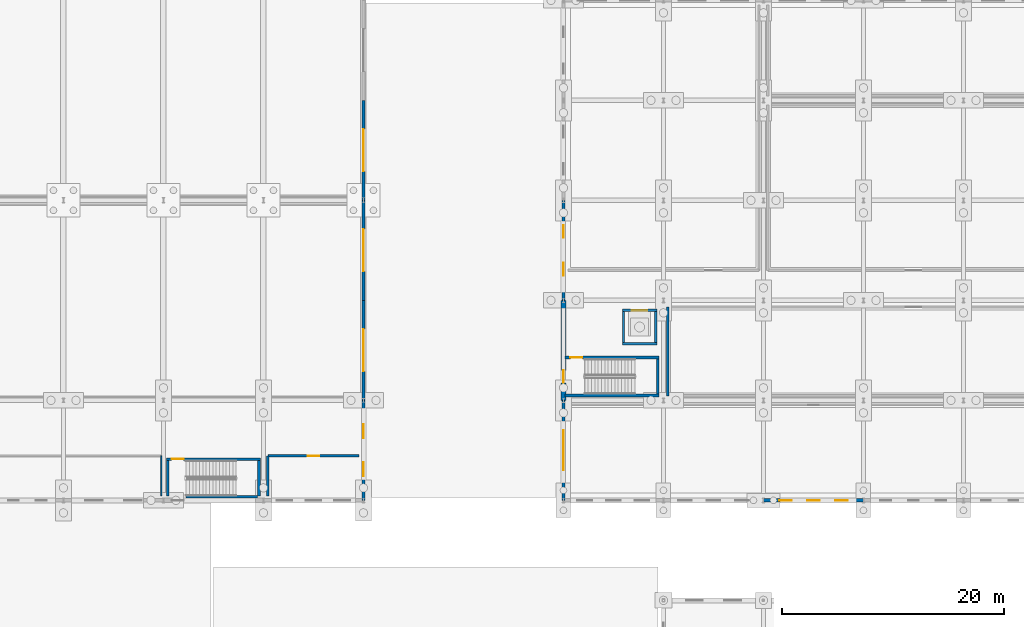
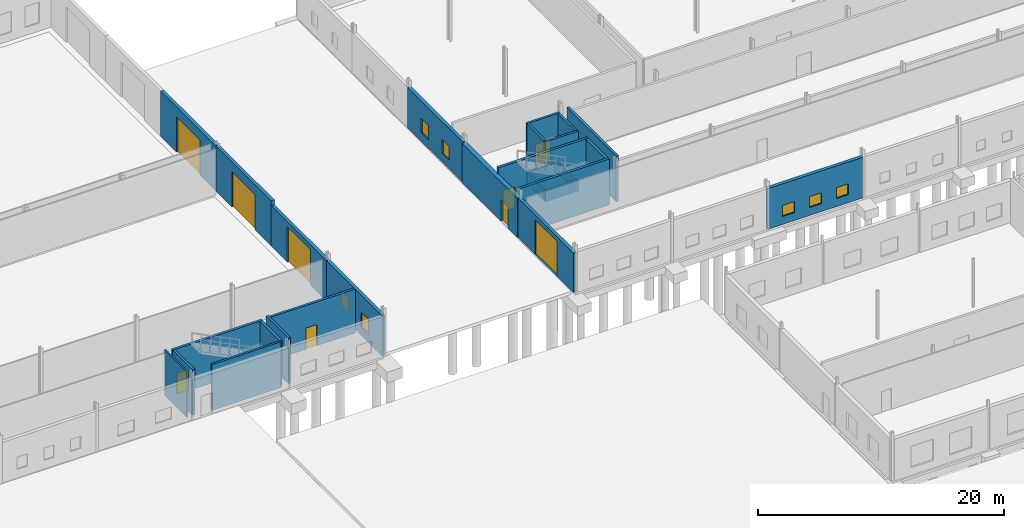
# One storey, part 80 of 112: 27 walls, 9 doors, 7 windows, 16 openings.
"""IFC4 building model written with IfcOpenShell, lengths in metres."""

from ifc_helpers import new_model, si_unit, direction, frame, frame_2d, origin, place, context, subcontext, project, spatial, rectangle, extrude, material, layer, layer_set, type_object, element, fill, save


model = new_model("IFC4")

# Units and contexts
model_context = context("Model", 3, precision=1e-05, world=origin(), true_north=direction((0.0, 1.0)))
body_context = subcontext(model_context, "Body", "Model", "MODEL_VIEW")
ifc_project = project(units=[si_unit("LENGTHUNIT", "METRE"), si_unit("AREAUNIT", "SQUARE_METRE"), si_unit("VOLUMEUNIT", "CUBIC_METRE"), si_unit("PLANEANGLEUNIT", "RADIAN"), si_unit("MASSUNIT", "GRAM", prefix="KILO")], contexts=[model_context])

# Site, building, storey
site_placement = place(None, origin())
site = spatial("IfcSite", under=ifc_project, at=site_placement, CompositionType="ELEMENT")
building_placement = place(site_placement, origin())
building = spatial("IfcBuilding", under=site, at=building_placement, Name="Tharagai Park Tramway Depot", CompositionType="ELEMENT")
storey_placement = place(building_placement, origin())
storey = spatial("IfcBuildingStorey", under=building, at=storey_placement, Name="L00", CompositionType="ELEMENT", Elevation=0.0)

# Wall, opening, door
ifc_material_1 = material(Name="Charnockite stone", Category="masonry")
ifc_layer_1 = layer(ifc_material_1, 0.419921875)
ifc_layer_set_1 = layer_set([ifc_layer_1], Name="Charnockite stone")
wall_type_1 = type_object("IfcWallType", Name="EW-07", PredefinedType="SOLIDWALL", material=ifc_layer_set_1)
wall_1_placement = place(storey_placement, frame((162.0, 99.00390625, 0.0), z_axis=(0.0, 0.0, 1.0), x_axis=(0.0, 1.0, 0.0)))
wall_1 = element("IfcWall", 1, at=wall_1_placement, inside=storey, type_object=wall_type_1, Name="L00 V3 Exterior Masonry Wall EW-07", PredefinedType="SOLIDWALL", context=body_context, shape_type="SweptSolid", body=[
    extrude(rectangle(XDim=8.9921875, YDim=0.419921875, at=frame_2d((4.49609375, 0.0))), origin(), (0.0, 0.0, 1.0), 3.912109375),
])
opening_1_placement = place(wall_1_placement, frame((1.575927734375, 0.0, 0.0)))
opening_1 = element("IfcOpeningElement", 2, at=opening_1_placement, cuts=wall_1, Name="Opening ED-08", PredefinedType="OPENING", context=body_context, shape_type="SweptSolid", body=[
    extrude(rectangle(XDim=1.1201171875, YDim=2.139892578125, at=frame_2d((0.56005859375, 1.06982421875))), frame((0.0, 0.219970703125, 0.0), z_axis=(0.0, -1.0, 0.0), x_axis=(1.0, 0.0, 0.0)), (0.0, 0.0, 1.0), 0.43994140625),
])
ifc_material_2 = material(Name="Anodised aluminium", Category="aluminium")
door_type_1 = type_object("IfcDoorType", Name="ED-08", OperationType="NOTDEFINED", PredefinedType="DOOR", material=ifc_material_2)
door_1_placement = place(opening_1_placement, origin())
door_1 = element("IfcDoor", 3, at=door_1_placement, inside=storey, type_object=door_type_1, Name="Core C12 Final Exit Door", OperationType="SINGLE_SWING_LEFT", OverallHeight=2.139892578125, OverallWidth=1.1201171875, PredefinedType="DOOR", context=body_context, shape_type="SweptSolid", body=[
    extrude(rectangle(XDim=1.1201171875, YDim=2.139892578125, at=frame_2d((0.56005859375, 1.06982421875))), frame((0.0, 0.02490234375, 0.0), z_axis=(0.0, -1.0, 0.0), x_axis=(1.0, 0.0, 0.0)), (0.0, 0.0, 1.0), 0.050048828125),
])
fill(opening_1, door_1)

# Wall, openings, windows
ifc_material_3 = material(Name="Pressed clay brick", Category="masonry")
ifc_layer_2 = layer(ifc_material_3, 0.300048828125)
ifc_layer_set_2 = layer_set([ifc_layer_2], Name="Pressed clay brick")
wall_type_2 = type_object("IfcWallType", Name="EW-08", PredefinedType="SOLIDWALL", material=ifc_layer_set_2)
wall_2_placement = place(storey_placement, frame((180.00390625, 90.0, 0.0), z_axis=(0.0, 0.0, 1.0), x_axis=(1.0, 0.0, 0.0)))
wall_2 = element("IfcWall", 4, at=wall_2_placement, inside=storey, type_object=wall_type_2, Name="L00 V3 Exterior Masonry Wall EW-08", PredefinedType="SOLIDWALL", context=body_context, shape_type="SweptSolid", body=[
    extrude(rectangle(XDim=8.9921875, YDim=0.300048828125, at=frame_2d((4.49609375, 0.0))), origin(), (0.0, 0.0, 1.0), 4.0419921875),
])
opening_2_placement = place(wall_2_placement, frame((1.407958984375, 0.0, 0.800048828125)))
opening_2 = element("IfcOpeningElement", 5, at=opening_2_placement, cuts=wall_2, Name="Opening WN-24", PredefinedType="OPENING", context=body_context, shape_type="SweptSolid", body=[
    extrude(rectangle(XDim=1.1201171875, YDim=1.080078125, at=frame_2d((0.56005859375, 0.5400390625))), frame((0.0, 0.159912109375, 0.0), z_axis=(0.0, -1.0, 0.0), x_axis=(1.0, 0.0, 0.0)), (0.0, 0.0, 1.0), 0.320068359375),
])
opening_3_placement = place(wall_2_placement, frame((3.93603515625, 0.0, 0.800048828125)))
opening_3 = element("IfcOpeningElement", 6, at=opening_3_placement, cuts=wall_2, Name="Opening WN-24", PredefinedType="OPENING", context=body_context, shape_type="SweptSolid", body=[
    extrude(rectangle(XDim=1.1201171875, YDim=1.080078125, at=frame_2d((0.56005859375, 0.5400390625))), frame((0.0, 0.159912109375, 0.0), z_axis=(0.0, -1.0, 0.0), x_axis=(1.0, 0.0, 0.0)), (0.0, 0.0, 1.0), 0.320068359375),
])
opening_4_placement = place(wall_2_placement, frame((6.464111328125, 0.0, 0.800048828125)))
opening_4 = element("IfcOpeningElement", 7, at=opening_4_placement, cuts=wall_2, Name="Opening WN-24", PredefinedType="OPENING", context=body_context, shape_type="SweptSolid", body=[
    extrude(rectangle(XDim=1.1201171875, YDim=1.080078125, at=frame_2d((0.56005859375, 0.5400390625))), frame((0.0, 0.159912109375, 0.0), z_axis=(0.0, -1.0, 0.0), x_axis=(1.0, 0.0, 0.0)), (0.0, 0.0, 1.0), 0.320068359375),
])
ifc_material_4 = material(Name="Laminated solar-control glass", Category="glass")
window_type_1 = type_object("IfcWindowType", Name="WN-24", PartitioningType="SINGLE_PANEL", PredefinedType="WINDOW", material=ifc_material_4)
window_1_placement = place(opening_2_placement, origin())
window_1 = element("IfcWindow", 8, at=window_1_placement, inside=storey, type_object=window_type_1, Name="L00 V3 Gothic Lancet Window WN-24", OverallHeight=1.080078125, OverallWidth=1.1201171875, PartitioningType="SINGLE_PANEL", PredefinedType="WINDOW", context=body_context, shape_type="SweptSolid", body=[
    extrude(rectangle(XDim=1.1201171875, YDim=1.080078125, at=frame_2d((0.56005859375, 0.5400390625))), frame((0.0, 0.030029296875, 0.0), z_axis=(0.0, -1.0, 0.0), x_axis=(1.0, 0.0, 0.0)), (0.0, 0.0, 1.0), 0.06005859375),
])
fill(opening_2, window_1)
window_2_placement = place(opening_3_placement, origin())
window_2 = element("IfcWindow", 9, at=window_2_placement, inside=storey, type_object=window_type_1, Name="L00 V3 Gothic Lancet Window WN-24", OverallHeight=1.080078125, OverallWidth=1.1201171875, PartitioningType="SINGLE_PANEL", PredefinedType="WINDOW", context=body_context, shape_type="SweptSolid", body=[
    extrude(rectangle(XDim=1.1201171875, YDim=1.080078125, at=frame_2d((0.56005859375, 0.5400390625))), frame((0.0, 0.030029296875, 0.0), z_axis=(0.0, -1.0, 0.0), x_axis=(1.0, 0.0, 0.0)), (0.0, 0.0, 1.0), 0.06005859375),
])
fill(opening_3, window_2)
window_3_placement = place(opening_4_placement, origin())
window_3 = element("IfcWindow", 10, at=window_3_placement, inside=storey, type_object=window_type_1, Name="L00 V3 Gothic Lancet Window WN-24", OverallHeight=1.080078125, OverallWidth=1.1201171875, PartitioningType="SINGLE_PANEL", PredefinedType="WINDOW", context=body_context, shape_type="SweptSolid", body=[
    extrude(rectangle(XDim=1.1201171875, YDim=1.080078125, at=frame_2d((0.56005859375, 0.5400390625))), frame((0.0, 0.030029296875, 0.0), z_axis=(0.0, -1.0, 0.0), x_axis=(1.0, 0.0, 0.0)), (0.0, 0.0, 1.0), 0.06005859375),
])
fill(opening_4, window_3)

wall_3_placement = place(storey_placement, frame((144.0, 90.00390625, 0.0), z_axis=(0.0, 0.0, 1.0), x_axis=(0.0, 1.0, 0.0)))
wall_3 = element("IfcWall", 11, at=wall_3_placement, inside=storey, type_object=wall_type_2, Name="L00 V1 Exterior Masonry Wall EW-08", PredefinedType="SOLIDWALL", context=body_context, shape_type="SweptSolid", body=[
    extrude(rectangle(XDim=8.9921875, YDim=0.300048828125, at=frame_2d((4.49609375, 0.0))), origin(), (0.0, 0.0, 1.0), 4.011962890625),
])
opening_5_placement = place(wall_3_placement, frame((2.156982421875, 0.0, 0.85009765625)))
opening_5 = element("IfcOpeningElement", 12, at=opening_5_placement, cuts=wall_3, Name="Opening WN-09", PredefinedType="OPENING", context=body_context, shape_type="SweptSolid", body=[
    extrude(rectangle(XDim=1.260009765625, YDim=1.4599609375, at=frame_2d((0.6298828125, 0.72998046875))), frame((0.0, 0.159912109375, 0.0), z_axis=(0.0, -1.0, 0.0), x_axis=(1.0, 0.0, 0.0)), (0.0, 0.0, 1.0), 0.320068359375),
])
opening_6_placement = place(wall_3_placement, frame((5.574951171875, 0.0, 0.85009765625)))
opening_6 = element("IfcOpeningElement", 13, at=opening_6_placement, cuts=wall_3, Name="Opening WN-09", PredefinedType="OPENING", context=body_context, shape_type="SweptSolid", body=[
    extrude(rectangle(XDim=1.260009765625, YDim=1.4599609375, at=frame_2d((0.6298828125, 0.72998046875))), frame((0.0, 0.159912109375, 0.0), z_axis=(0.0, -1.0, 0.0), x_axis=(1.0, 0.0, 0.0)), (0.0, 0.0, 1.0), 0.320068359375),
])
window_type_2 = type_object("IfcWindowType", Name="WN-09", PartitioningType="SINGLE_PANEL", PredefinedType="WINDOW", material=ifc_material_4)
window_4_placement = place(opening_5_placement, origin())
window_4 = element("IfcWindow", 14, at=window_4_placement, inside=storey, type_object=window_type_2, Name="L00 V1 Side Lancet Window WN-09", OverallHeight=1.4599609375, OverallWidth=1.260009765625, PartitioningType="SINGLE_PANEL", PredefinedType="WINDOW", context=body_context, shape_type="SweptSolid", body=[
    extrude(rectangle(XDim=1.260009765625, YDim=1.4599609375, at=frame_2d((0.6298828125, 0.72998046875))), frame((0.0, 0.030029296875, 0.0), z_axis=(0.0, -1.0, 0.0), x_axis=(1.0, 0.0, 0.0)), (0.0, 0.0, 1.0), 0.06005859375),
])
fill(opening_5, window_4)
window_5_placement = place(opening_6_placement, origin())
window_5 = element("IfcWindow", 15, at=window_5_placement, inside=storey, type_object=window_type_2, Name="L00 V1 Side Lancet Window WN-09", OverallHeight=1.4599609375, OverallWidth=1.260009765625, PartitioningType="SINGLE_PANEL", PredefinedType="WINDOW", context=body_context, shape_type="SweptSolid", body=[
    extrude(rectangle(XDim=1.260009765625, YDim=1.4599609375, at=frame_2d((0.6298828125, 0.72998046875))), frame((0.0, 0.030029296875, 0.0), z_axis=(0.0, -1.0, 0.0), x_axis=(1.0, 0.0, 0.0)), (0.0, 0.0, 1.0), 0.06005859375),
])
fill(opening_6, window_5)

# Wall, opening, door
wall_4_placement = place(storey_placement, frame((144.0, 99.00390625, 0.0), z_axis=(0.0, 0.0, 1.0), x_axis=(0.0, 1.0, 0.0)))
wall_4 = element("IfcWall", 16, at=wall_4_placement, inside=storey, type_object=wall_type_2, Name="L00 V1 Exterior Masonry Wall EW-08", PredefinedType="SOLIDWALL", context=body_context, shape_type="SweptSolid", body=[
    extrude(rectangle(XDim=8.99609375, YDim=0.300048828125, at=frame_2d((4.498046875, 0.0))), origin(), (0.0, 0.0, 1.0), 4.011962890625),
])
opening_7_placement = place(wall_4_placement, frame((2.597900390625, 0.0, 0.0)))
opening_7 = element("IfcOpeningElement", 17, at=opening_7_placement, cuts=wall_4, Name="Opening VG-01", PredefinedType="OPENING", context=body_context, shape_type="SweptSolid", body=[
    extrude(rectangle(XDim=3.800048828125, YDim=3.5, at=frame_2d((1.89990234375, 1.75))), frame((0.0, 0.159912109375, 0.0), z_axis=(0.0, -1.0, 0.0), x_axis=(1.0, 0.0, 0.0)), (0.0, 0.0, 1.0), 0.320068359375),
])
ifc_material_5 = material(Name="Galvanised steel", Category="steel")
door_type_2 = type_object("IfcDoorType", Name="VG-01", OperationType="ROLLINGUP", PredefinedType="GATE", material=ifc_material_5)
door_2_placement = place(opening_7_placement, frame((3.800048828125, 0.0, 0.0), z_axis=(0.0, 0.0, 1.0), x_axis=(-1.0, 0.0, 0.0)))
door_2 = element("IfcDoor", 18, at=door_2_placement, inside=storey, type_object=door_type_2, Name="V1 Rolling-Stock Shutter Gate VG-01", OperationType="ROLLINGUP", OverallHeight=3.5, OverallWidth=3.800048828125, PredefinedType="GATE", context=body_context, shape_type="SweptSolid", body=[
    extrude(rectangle(XDim=3.800048828125, YDim=3.5, at=frame_2d((1.89990234375, 1.75))), frame((0.0, 0.02490234375, 0.0), z_axis=(0.0, -1.0, 0.0), x_axis=(1.0, 0.0, 0.0)), (0.0, 0.0, 1.0), 0.050048828125),
])
fill(opening_7, door_2)

wall_5_placement = place(storey_placement, frame((144.0, 108.0, 0.0), z_axis=(0.0, 0.0, 1.0), x_axis=(0.0, 1.0, 0.0)))
wall_5 = element("IfcWall", 19, at=wall_5_placement, inside=storey, type_object=wall_type_2, Name="L00 V1 Exterior Masonry Wall EW-08", PredefinedType="SOLIDWALL", context=body_context, shape_type="SweptSolid", body=[
    extrude(rectangle(XDim=8.99609375, YDim=0.300048828125, at=frame_2d((4.498046875, 0.0))), origin(), (0.0, 0.0, 1.0), 4.491943359375),
])
opening_8_placement = place(wall_5_placement, frame((2.597900390625, 0.0, 0.0)))
opening_8 = element("IfcOpeningElement", 20, at=opening_8_placement, cuts=wall_5, Name="Opening VG-01", PredefinedType="OPENING", context=body_context, shape_type="SweptSolid", body=[
    extrude(rectangle(XDim=3.800048828125, YDim=3.5, at=frame_2d((1.89990234375, 1.75))), frame((0.0, 0.159912109375, 0.0), z_axis=(0.0, -1.0, 0.0), x_axis=(1.0, 0.0, 0.0)), (0.0, 0.0, 1.0), 0.320068359375),
])
door_3_placement = place(opening_8_placement, frame((3.800048828125, 0.0, 0.0), z_axis=(0.0, 0.0, 1.0), x_axis=(-1.0, 0.0, 0.0)))
door_3 = element("IfcDoor", 21, at=door_3_placement, inside=storey, type_object=door_type_2, Name="V1 Rolling-Stock Shutter Gate VG-01", OperationType="ROLLINGUP", OverallHeight=3.5, OverallWidth=3.800048828125, PredefinedType="GATE", context=body_context, shape_type="SweptSolid", body=[
    extrude(rectangle(XDim=3.800048828125, YDim=3.5, at=frame_2d((1.89990234375, 1.75))), frame((0.0, 0.02490234375, 0.0), z_axis=(0.0, -1.0, 0.0), x_axis=(1.0, 0.0, 0.0)), (0.0, 0.0, 1.0), 0.050048828125),
])
fill(opening_8, door_3)

wall_6_placement = place(storey_placement, frame((144.0, 117.00390625, 0.0), z_axis=(0.0, 0.0, 1.0), x_axis=(0.0, 1.0, 0.0)))
wall_6 = element("IfcWall", 22, at=wall_6_placement, inside=storey, type_object=wall_type_2, Name="L00 V1 Exterior Masonry Wall EW-08", PredefinedType="SOLIDWALL", context=body_context, shape_type="SweptSolid", body=[
    extrude(rectangle(XDim=8.99609375, YDim=0.300048828125, at=frame_2d((4.498046875, 0.0))), origin(), (0.0, 0.0, 1.0), 4.491943359375),
])
opening_9_placement = place(wall_6_placement, frame((2.597900390625, 0.0, 0.0)))
opening_9 = element("IfcOpeningElement", 23, at=opening_9_placement, cuts=wall_6, Name="Opening VG-01", PredefinedType="OPENING", context=body_context, shape_type="SweptSolid", body=[
    extrude(rectangle(XDim=3.800048828125, YDim=3.5, at=frame_2d((1.89990234375, 1.75))), frame((0.0, 0.159912109375, 0.0), z_axis=(0.0, -1.0, 0.0), x_axis=(1.0, 0.0, 0.0)), (0.0, 0.0, 1.0), 0.320068359375),
])
door_4_placement = place(opening_9_placement, frame((3.800048828125, 0.0, 0.0), z_axis=(0.0, 0.0, 1.0), x_axis=(-1.0, 0.0, 0.0)))
door_4 = element("IfcDoor", 24, at=door_4_placement, inside=storey, type_object=door_type_2, Name="V1 Rolling-Stock Shutter Gate VG-01", OperationType="ROLLINGUP", OverallHeight=3.5, OverallWidth=3.800048828125, PredefinedType="GATE", context=body_context, shape_type="SweptSolid", body=[
    extrude(rectangle(XDim=3.800048828125, YDim=3.5, at=frame_2d((1.89990234375, 1.75))), frame((0.0, 0.02490234375, 0.0), z_axis=(0.0, -1.0, 0.0), x_axis=(1.0, 0.0, 0.0)), (0.0, 0.0, 1.0), 0.050048828125),
])
fill(opening_9, door_4)

wall_7_placement = place(storey_placement, frame((162.0, 90.00390625, 0.0), z_axis=(0.0, 0.0, 1.0), x_axis=(0.0, 1.0, 0.0)))
wall_7 = element("IfcWall", 25, at=wall_7_placement, inside=storey, type_object=wall_type_2, Name="L00 V3 Exterior Masonry Wall EW-08", PredefinedType="SOLIDWALL", context=body_context, shape_type="SweptSolid", body=[
    extrude(rectangle(XDim=8.9921875, YDim=0.300048828125, at=frame_2d((4.49609375, 0.0))), origin(), (0.0, 0.0, 1.0), 3.912109375),
])
opening_10_placement = place(wall_7_placement, frame((2.696044921875, 0.0, 0.0)))
opening_10 = element("IfcOpeningElement", 26, at=opening_10_placement, cuts=wall_7, Name="Opening VG-02", PredefinedType="OPENING", context=body_context, shape_type="SweptSolid", body=[
    extrude(rectangle(XDim=3.60009765625, YDim=3.449951171875, at=frame_2d((1.800048828125, 1.72509765625))), frame((0.0, 0.159912109375, 0.0), z_axis=(0.0, -1.0, 0.0), x_axis=(1.0, 0.0, 0.0)), (0.0, 0.0, 1.0), 0.320068359375),
])
door_type_3 = type_object("IfcDoorType", Name="VG-02", OperationType="ROLLINGUP", PredefinedType="GATE", material=ifc_material_5)
door_5_placement = place(opening_10_placement, origin())
door_5 = element("IfcDoor", 27, at=door_5_placement, inside=storey, type_object=door_type_3, Name="V3 Rolling-Stock Shutter Gate VG-02", OperationType="ROLLINGUP", OverallHeight=3.449951171875, OverallWidth=3.60009765625, PredefinedType="GATE", context=body_context, shape_type="SweptSolid", body=[
    extrude(rectangle(XDim=3.60009765625, YDim=3.449951171875, at=frame_2d((1.800048828125, 1.72509765625))), frame((0.0, 0.02490234375, 0.0), z_axis=(0.0, -1.0, 0.0), x_axis=(1.0, 0.0, 0.0)), (0.0, 0.0, 1.0), 0.050048828125),
])
fill(opening_10, door_5)

# Wall, openings, windows
wall_8_placement = place(storey_placement, frame((162.0, 108.00390625, 0.0), z_axis=(0.0, 0.0, 1.0), x_axis=(0.0, 1.0, 0.0)))
wall_8 = element("IfcWall", 28, at=wall_8_placement, inside=storey, type_object=wall_type_2, Name="L00 V3 Exterior Masonry Wall EW-08", PredefinedType="SOLIDWALL", context=body_context, shape_type="SweptSolid", body=[
    extrude(rectangle(XDim=8.9921875, YDim=0.300048828125, at=frame_2d((4.49609375, 0.0))), origin(), (0.0, 0.0, 1.0), 4.011962890625),
])
opening_11_placement = place(wall_8_placement, frame((2.22412109375, 0.0, 0.85009765625)))
opening_11 = element("IfcOpeningElement", 29, at=opening_11_placement, cuts=wall_8, Name="Opening WN-42", PredefinedType="OPENING", context=body_context, shape_type="SweptSolid", body=[
    extrude(rectangle(XDim=1.159912109375, YDim=1.39990234375, at=frame_2d((0.580078125, 0.699951171875))), frame((0.0, 0.159912109375, 0.0), z_axis=(0.0, -1.0, 0.0), x_axis=(1.0, 0.0, 0.0)), (0.0, 0.0, 1.0), 0.320068359375),
])
opening_12_placement = place(wall_8_placement, frame((5.60791015625, 0.0, 0.85009765625)))
opening_12 = element("IfcOpeningElement", 30, at=opening_12_placement, cuts=wall_8, Name="Opening WN-42", PredefinedType="OPENING", context=body_context, shape_type="SweptSolid", body=[
    extrude(rectangle(XDim=1.159912109375, YDim=1.39990234375, at=frame_2d((0.580078125, 0.699951171875))), frame((0.0, 0.159912109375, 0.0), z_axis=(0.0, -1.0, 0.0), x_axis=(1.0, 0.0, 0.0)), (0.0, 0.0, 1.0), 0.320068359375),
])
window_type_3 = type_object("IfcWindowType", Name="WN-42", PartitioningType="SINGLE_PANEL", PredefinedType="WINDOW", material=ifc_material_4)
window_6_placement = place(opening_11_placement, origin())
window_6 = element("IfcWindow", 31, at=window_6_placement, inside=storey, type_object=window_type_3, Name="L00 V3 Side Lancet Window WN-42", OverallHeight=1.39990234375, OverallWidth=1.159912109375, PartitioningType="SINGLE_PANEL", PredefinedType="WINDOW", context=body_context, shape_type="SweptSolid", body=[
    extrude(rectangle(XDim=1.159912109375, YDim=1.39990234375, at=frame_2d((0.580078125, 0.699951171875))), frame((0.0, 0.030029296875, 0.0), z_axis=(0.0, -1.0, 0.0), x_axis=(1.0, 0.0, 0.0)), (0.0, 0.0, 1.0), 0.06005859375),
])
fill(opening_11, window_6)
window_7_placement = place(opening_12_placement, origin())
window_7 = element("IfcWindow", 32, at=window_7_placement, inside=storey, type_object=window_type_3, Name="L00 V3 Side Lancet Window WN-42", OverallHeight=1.39990234375, OverallWidth=1.159912109375, PartitioningType="SINGLE_PANEL", PredefinedType="WINDOW", context=body_context, shape_type="SweptSolid", body=[
    extrude(rectangle(XDim=1.159912109375, YDim=1.39990234375, at=frame_2d((0.580078125, 0.699951171875))), frame((0.0, 0.030029296875, 0.0), z_axis=(0.0, -1.0, 0.0), x_axis=(1.0, 0.0, 0.0)), (0.0, 0.0, 1.0), 0.06005859375),
])
fill(opening_12, window_7)

# Wall
ifc_material_6 = material(Name="Gypsum board", Category="gypsum")
ifc_layer_3 = layer(ifc_material_6, 0.1201171875)
ifc_layer_set_3 = layer_set([ifc_layer_3], Name="Gypsum board")
wall_type_3 = type_object("IfcWallType", Name="IW-03", PredefinedType="PARTITIONING", material=ifc_layer_set_3)
wall_9_placement = place(storey_placement, frame((125.800048828125, 90.39990234375, 0.0), z_axis=(0.0, 0.0, 1.0), x_axis=(0.0, 1.0, 0.0)))
element("IfcWall", 33, at=wall_9_placement, inside=storey, type_object=wall_type_3, Name="Shunters Cabin and Track Isolation Room Partition East", PredefinedType="PARTITIONING", context=body_context, shape_type="SweptSolid", body=[
    extrude(rectangle(XDim=3.60009765625, YDim=0.1201171875, at=frame_2d((1.800048828125, 0.0))), origin(), (0.0, 0.0, 1.0), 4.550048828125),
])

# Wall, opening, door
ifc_layer_4 = layer(ifc_material_3, 0.219970703125)
ifc_layer_set_4 = layer_set([ifc_layer_4], Name="Pressed clay brick")
wall_type_4 = type_object("IfcWallType", Name="IW-05", PredefinedType="SOLIDWALL", material=ifc_layer_set_4)
wall_10_placement = place(storey_placement, frame((135.39990234375, 94.0, 0.0), z_axis=(0.0, 0.0, 1.0), x_axis=(1.0, 0.0, 0.0)))
wall_10 = element("IfcWall", 34, at=wall_10_placement, inside=storey, type_object=wall_type_4, Name="Sandbox Silo and Consumables Store Partition North", PredefinedType="SOLIDWALL", context=body_context, shape_type="SweptSolid", body=[
    extrude(rectangle(XDim=8.2001953125, YDim=0.219970703125, at=frame_2d((4.10009765625, 0.0))), origin(), (0.0, 0.0, 1.0), 4.364990234375),
])
opening_13_placement = place(wall_10_placement, frame((3.590087890625, 0.0, 0.0)))
opening_13 = element("IfcOpeningElement", 35, at=opening_13_placement, cuts=wall_10, Name="Opening ID-12", PredefinedType="OPENING", context=body_context, shape_type="SweptSolid", body=[
    extrude(rectangle(XDim=1.02001953125, YDim=2.10009765625, at=frame_2d((0.510009765625, 1.050048828125))), frame((0.0, 0.119873046875, 0.0), z_axis=(0.0, -1.0, 0.0), x_axis=(1.0, 0.0, 0.0)), (0.0, 0.0, 1.0), 0.239990234375),
])
ifc_material_7 = material(Name="Pressed timber", Category="wood")
door_type_4 = type_object("IfcDoorType", Name="ID-12", OperationType="NOTDEFINED", PredefinedType="DOOR", material=ifc_material_7)
door_6_placement = place(opening_13_placement, origin())
door_6 = element("IfcDoor", 36, at=door_6_placement, inside=storey, type_object=door_type_4, Name="Sandbox Silo and Consumables Store Door", OperationType="SINGLE_SWING_LEFT", OverallHeight=2.10009765625, OverallWidth=1.02001953125, PredefinedType="DOOR", context=body_context, shape_type="SweptSolid", body=[
    extrude(rectangle(XDim=1.02001953125, YDim=2.10009765625, at=frame_2d((0.510009765625, 1.050048828125))), frame((0.0, 0.02490234375, 0.0), z_axis=(0.0, -1.0, 0.0), x_axis=(1.0, 0.0, 0.0)), (0.0, 0.0, 1.0), 0.050048828125),
])
fill(opening_13, door_6)

# Walls
wall_11_placement = place(storey_placement, frame((135.39990234375, 90.39990234375, 0.0), z_axis=(0.0, 0.0, 1.0), x_axis=(0.0, 1.0, 0.0)))
element("IfcWall", 37, at=wall_11_placement, inside=storey, type_object=wall_type_4, Name="Sandbox Silo and Consumables Store Partition West", PredefinedType="SOLIDWALL", context=body_context, shape_type="SweptSolid", body=[
    extrude(rectangle(XDim=3.60009765625, YDim=0.219970703125, at=frame_2d((1.800048828125, 0.0))), origin(), (0.0, 0.0, 1.0), 4.550048828125),
])
wall_12_placement = place(storey_placement, frame((171.39990234375, 99.39990234375, 0.0), z_axis=(0.0, 0.0, 1.0), x_axis=(0.0, 1.0, 0.0)))
element("IfcWall", 38, at=wall_12_placement, inside=storey, type_object=wall_type_4, Name="Wash Booster Pump Room Partition West", PredefinedType="SOLIDWALL", context=body_context, shape_type="SweptSolid", body=[
    extrude(rectangle(XDim=8.0, YDim=0.219970703125, at=frame_2d((4.0, 0.0))), origin(), (0.0, 0.0, 1.0), 4.550048828125),
])

# Wall, opening, door
ifc_material_8 = material(Name="Concrete M40", Category="concrete")
ifc_layer_5 = layer(ifc_material_8, 0.239990234375)
ifc_layer_set_5 = layer_set([ifc_layer_5], Name="Concrete M40")
wall_type_5 = type_object("IfcWallType", Name="SW-01", PredefinedType="SHEAR", material=ifc_layer_set_5)
wall_13_placement = place(storey_placement, frame((126.280029296875, 93.7099609375, 0.0), z_axis=(0.0, 0.0, 1.0), x_axis=(1.0, 0.0, 0.0)))
wall_13 = element("IfcWall", 39, at=wall_13_placement, inside=storey, type_object=wall_type_5, Name="Core C11 L00 Shear Wall North", PredefinedType="SHEAR", context=body_context, shape_type="SweptSolid", body=[
    extrude(rectangle(XDim=8.43994140625, YDim=0.239990234375, at=frame_2d((4.219970703125, 0.0))), origin(), (0.0, 0.0, 1.0), 4.550048828125),
])
opening_14_placement = place(wall_13_placement, frame((0.4599609375, 0.0, 0.0)))
opening_14 = element("IfcOpeningElement", 40, at=opening_14_placement, cuts=wall_13, Name="Opening ID-05", PredefinedType="OPENING", context=body_context, shape_type="SweptSolid", body=[
    extrude(rectangle(XDim=1.080078125, YDim=2.080078125, at=frame_2d((0.5400390625, 1.0400390625))), frame((0.0, 0.1298828125, 0.0), z_axis=(0.0, -1.0, 0.0), x_axis=(1.0, 0.0, 0.0)), (0.0, 0.0, 1.0), 0.260009765625),
])
door_type_5 = type_object("IfcDoorType", Name="ID-05", OperationType="NOTDEFINED", PredefinedType="DOOR", material=ifc_material_5)
door_7_placement = place(opening_14_placement, origin())
door_7 = element("IfcDoor", 41, at=door_7_placement, inside=storey, type_object=door_type_5, Name="Stair ST-11 L00 Fire Door", OperationType="SINGLE_SWING_LEFT", OverallHeight=2.080078125, OverallWidth=1.080078125, PredefinedType="DOOR", context=body_context, shape_type="SweptSolid", body=[
    extrude(rectangle(XDim=1.080078125, YDim=2.080078125, at=frame_2d((0.5400390625, 1.0400390625))), frame((0.0, 0.02490234375, 0.0), z_axis=(0.0, -1.0, 0.0), x_axis=(1.0, 0.0, 0.0)), (0.0, 0.0, 1.0), 0.050048828125),
])
fill(opening_14, door_7)

# Walls
for number, where, z_axis, x_axis, name in (
    (42, (126.39990234375, 90.39990234375, 0.0), (0.0, 0.0, 1.0), (0.0, 1.0, 0.0), "Core C11 L00 Shear Wall West"),
    (43, (134.60009765625, 90.39990234375, 0.0), (0.0, 0.0, 1.0), (0.0, 1.0, 0.0), "Core C11 L00 Shear Wall East"),
):
    element("IfcWall", number, at=place(storey_placement, frame(where, z_axis=z_axis, x_axis=x_axis)), inside=storey, type_object=wall_type_5, Name=name, PredefinedType="SHEAR", context=body_context, shape_type="SweptSolid", body=[
        extrude(rectangle(XDim=3.190185546875, YDim=0.239990234375, at=frame_2d((1.59521484375, 0.0))), origin(), (0.0, 0.0, 1.0), 4.550048828125),
    ])
wall_14_placement = place(storey_placement, frame((162.159912109375, 99.429931640625, 0.0), z_axis=(0.0, 0.0, 1.0), x_axis=(1.0, 0.0, 0.0)))
element("IfcWall", 44, at=wall_14_placement, inside=storey, type_object=wall_type_5, Name="Core C12 L00 Shear Wall South", PredefinedType="SHEAR", context=body_context, shape_type="SweptSolid", body=[
    extrude(rectangle(XDim=8.440185546875, YDim=0.239990234375, at=frame_2d((4.22021484375, 0.0))), origin(), (0.0, 0.0, 1.0), 4.550048828125),
])

# Wall, opening, door
wall_15_placement = place(storey_placement, frame((162.159912109375, 102.860107421875, 0.0), z_axis=(0.0, 0.0, 1.0), x_axis=(1.0, 0.0, 0.0)))
wall_15 = element("IfcWall", 45, at=wall_15_placement, inside=storey, type_object=wall_type_5, Name="Core C12 L00 Shear Wall North", PredefinedType="SHEAR", context=body_context, shape_type="SweptSolid", body=[
    extrude(rectangle(XDim=8.440185546875, YDim=0.239990234375, at=frame_2d((4.22021484375, 0.0))), origin(), (0.0, 0.0, 1.0), 4.550048828125),
])
opening_15_placement = place(wall_15_placement, frame((0.4599609375, 0.0, 0.0)))
opening_15 = element("IfcOpeningElement", 46, at=opening_15_placement, cuts=wall_15, Name="Opening ID-05", PredefinedType="OPENING", context=body_context, shape_type="SweptSolid", body=[
    extrude(rectangle(XDim=1.080078125, YDim=2.080078125, at=frame_2d((0.5400390625, 1.0400390625))), frame((0.0, 0.1298828125, 0.0), z_axis=(0.0, -1.0, 0.0), x_axis=(1.0, 0.0, 0.0)), (0.0, 0.0, 1.0), 0.260009765625),
])
door_8_placement = place(opening_15_placement, origin())
door_8 = element("IfcDoor", 47, at=door_8_placement, inside=storey, type_object=door_type_5, Name="Stair ST-12 L00 Fire Door", OperationType="SINGLE_SWING_LEFT", OverallHeight=2.080078125, OverallWidth=1.080078125, PredefinedType="DOOR", context=body_context, shape_type="SweptSolid", body=[
    extrude(rectangle(XDim=1.080078125, YDim=2.080078125, at=frame_2d((0.5400390625, 1.0400390625))), frame((0.0, 0.02490234375, 0.0), z_axis=(0.0, -1.0, 0.0), x_axis=(1.0, 0.0, 0.0)), (0.0, 0.0, 1.0), 0.050048828125),
])
fill(opening_15, door_8)

# Walls
wall_16_placement = place(storey_placement, frame((170.47998046875, 99.550048828125, 0.0), z_axis=(0.0, 0.0, 1.0), x_axis=(0.0, 1.0, 0.0)))
element("IfcWall", 48, at=wall_16_placement, inside=storey, type_object=wall_type_5, Name="Core C12 L00 Shear Wall East", PredefinedType="SHEAR", context=body_context, shape_type="SweptSolid", body=[
    extrude(rectangle(XDim=3.18994140625, YDim=0.239990234375, at=frame_2d((1.594970703125, 0.0))), origin(), (0.0, 0.0, 1.0), 4.550048828125),
])
ifc_layer_6 = layer(ifc_material_8, 0.199951171875)
ifc_layer_set_6 = layer_set([ifc_layer_6], Name="Concrete M40")
wall_type_6 = type_object("IfcWallType", Name="SW-02", PredefinedType="SHEAR", material=ifc_layer_set_6)
wall_17_placement = place(storey_placement, frame((128.0400390625, 90.31494140625, 0.0), z_axis=(0.0, 0.0, 1.0), x_axis=(1.0, 0.0, 0.0)))
element("IfcWall", 49, at=wall_17_placement, inside=storey, type_object=wall_type_6, Name="Core C11 L00 Shear Bearing Liner South", PredefinedType="SHEAR", context=body_context, shape_type="SweptSolid", body=[
    extrude(rectangle(XDim=6.43994140625, YDim=0.199951171875, at=frame_2d((3.219970703125, 0.0))), origin(), (0.0, 0.0, 1.0), 4.550048828125),
])
for number, where, z_axis, x_axis, name in (
    (50, (167.300048828125, 104.10009765625, -1.39990234375), (0.0, 0.0, 1.0), (1.0, 0.0, 0.0), "Lift LG-02 Pit Wall South"),
    (51, (167.300048828125, 107.10009765625, -1.39990234375), (0.0, 0.0, 1.0), (1.0, 0.0, 0.0), "Lift LG-02 Pit Wall North"),
):
    element("IfcWall", number, at=place(storey_placement, frame(where, z_axis=z_axis, x_axis=x_axis)), inside=storey, type_object=wall_type_6, Name=name, PredefinedType="SHEAR", context=body_context, shape_type="SweptSolid", body=[
        extrude(rectangle(XDim=3.099853515625, YDim=0.199951171875, at=frame_2d((1.5498046875, 0.0))), origin(), (0.0, 0.0, 1.0), 1.099853515625),
    ])
for number, where, z_axis, x_axis, name in (
    (52, (167.39990234375, 104.199951171875, -1.39990234375), (0.0, 0.0, 1.0), (0.0, 1.0, 0.0), "Lift LG-02 Pit Wall West"),
    (53, (170.300048828125, 104.199951171875, -1.39990234375), (0.0, 0.0, 1.0), (0.0, 1.0, 0.0), "Lift LG-02 Pit Wall East"),
):
    element("IfcWall", number, at=place(storey_placement, frame(where, z_axis=z_axis, x_axis=x_axis)), inside=storey, type_object=wall_type_6, Name=name, PredefinedType="SHEAR", context=body_context, shape_type="SweptSolid", body=[
        extrude(rectangle(XDim=2.800048828125, YDim=0.199951171875, at=frame_2d((1.39990234375, 0.0))), origin(), (0.0, 0.0, 1.0), 1.099853515625),
    ])
wall_18_placement = place(storey_placement, frame((167.300048828125, 104.10009765625, 0.0), z_axis=(0.0, 0.0, 1.0), x_axis=(1.0, 0.0, 0.0)))
element("IfcWall", 54, at=wall_18_placement, inside=storey, type_object=wall_type_6, Name="Lift LG-02 L00 Shaft Wall South", PredefinedType="SHEAR", context=body_context, shape_type="SweptSolid", body=[
    extrude(rectangle(XDim=3.099853515625, YDim=0.199951171875, at=frame_2d((1.5498046875, 0.0))), origin(), (0.0, 0.0, 1.0), 4.550048828125),
])

# Wall, opening, door
wall_19_placement = place(storey_placement, frame((167.300048828125, 107.10009765625, 0.0), z_axis=(0.0, 0.0, 1.0), x_axis=(1.0, 0.0, 0.0)))
wall_19 = element("IfcWall", 55, at=wall_19_placement, inside=storey, type_object=wall_type_6, Name="Lift LG-02 L00 Shaft Wall North", PredefinedType="SHEAR", context=body_context, shape_type="SweptSolid", body=[
    extrude(rectangle(XDim=3.099853515625, YDim=0.199951171875, at=frame_2d((1.5498046875, 0.0))), origin(), (0.0, 0.0, 1.0), 4.550048828125),
])
opening_16_placement = place(wall_19_placement, frame((0.85009765625, 0.0, 0.0)))
opening_16 = element("IfcOpeningElement", 56, at=opening_16_placement, cuts=wall_19, Name="Opening LD-01", PredefinedType="OPENING", context=body_context, shape_type="SweptSolid", body=[
    extrude(rectangle(XDim=1.39990234375, YDim=2.14990234375, at=frame_2d((0.699951171875, 1.074951171875))), frame((0.0, 0.10986328125, 0.0), z_axis=(0.0, -1.0, 0.0), x_axis=(1.0, 0.0, 0.0)), (0.0, 0.0, 1.0), 0.219970703125),
])
door_type_6 = type_object("IfcDoorType", Name="LD-01", OperationType="DOUBLE_DOOR_SLIDING", PredefinedType="DOOR", material=ifc_material_5)
door_9_placement = place(opening_16_placement, origin())
door_9 = element("IfcDoor", 57, at=door_9_placement, inside=storey, type_object=door_type_6, Name="Lift LG-02 L00 Sliding Landing Door", OperationType="DOUBLE_DOOR_SLIDING", OverallHeight=2.14990234375, OverallWidth=1.39990234375, PredefinedType="DOOR", context=body_context, shape_type="SweptSolid", body=[
    extrude(rectangle(XDim=1.39990234375, YDim=2.14990234375, at=frame_2d((0.699951171875, 1.074951171875))), frame((0.0, 0.02490234375, 0.0), z_axis=(0.0, -1.0, 0.0), x_axis=(1.0, 0.0, 0.0)), (0.0, 0.0, 1.0), 0.050048828125),
])
fill(opening_16, door_9)

# Walls
for number, where, z_axis, x_axis, name in (
    (58, (167.39990234375, 104.199951171875, 0.0), (0.0, 0.0, 1.0), (0.0, 1.0, 0.0), "Lift LG-02 L00 Shaft Wall West"),
    (59, (170.300048828125, 104.199951171875, 0.0), (0.0, 0.0, 1.0), (0.0, 1.0, 0.0), "Lift LG-02 L00 Shaft Wall East"),
):
    element("IfcWall", number, at=place(storey_placement, frame(where, z_axis=z_axis, x_axis=x_axis)), inside=storey, type_object=wall_type_6, Name=name, PredefinedType="SHEAR", context=body_context, shape_type="SweptSolid", body=[
        extrude(rectangle(XDim=2.800048828125, YDim=0.199951171875, at=frame_2d((1.39990234375, 0.0))), origin(), (0.0, 0.0, 1.0), 4.550048828125),
    ])

save(model, "model.ifc")
